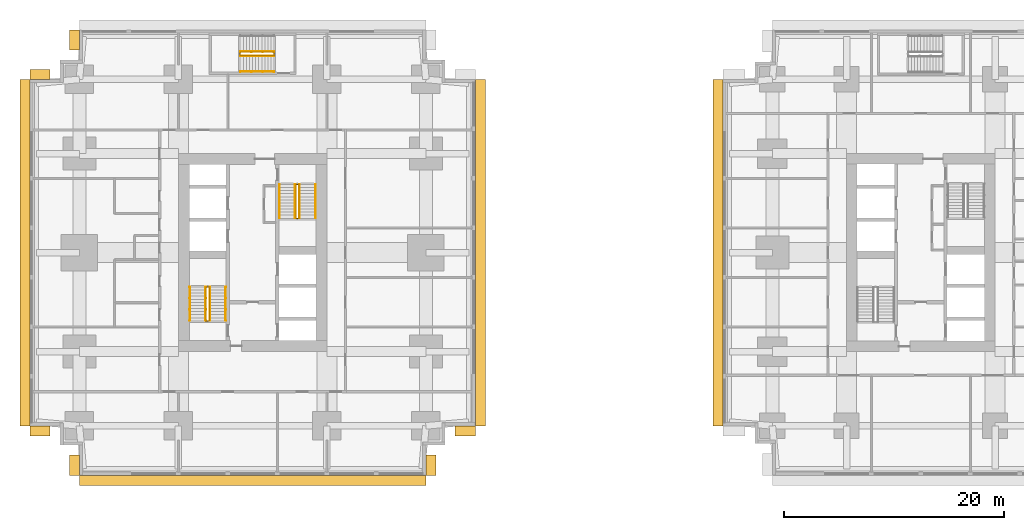
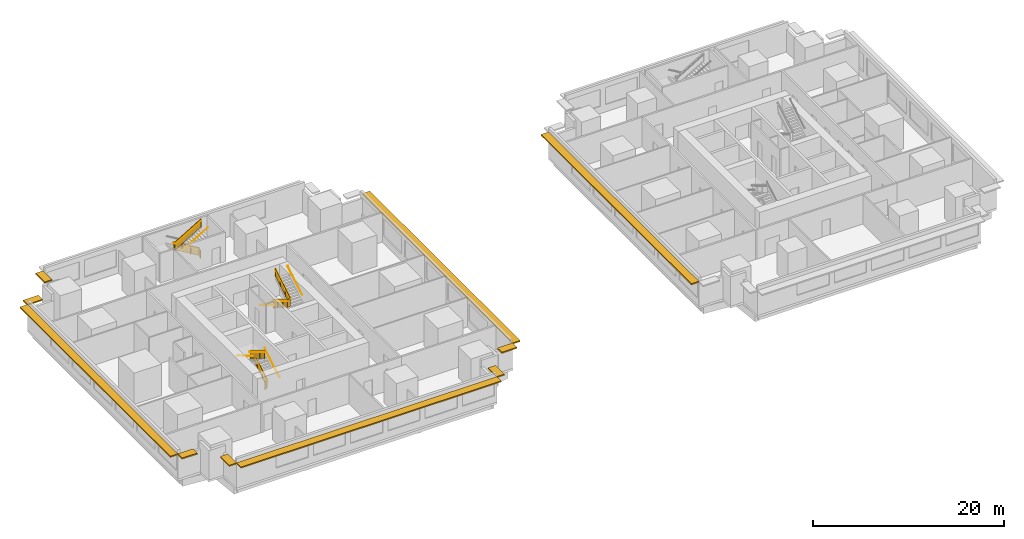
# One storey, part 9 of 11: 14 railings, 10 shading devices.
"""IFC4 building model written with IfcOpenShell, lengths in metres."""

from ifc_helpers import new_model, si_unit, direction, frame, origin, origin_2d, place, context, subcontext, project, spatial, polyline, rectangle, circle, outline, extrude, material, layer, layer_set, type_object, element, save


model = new_model("IFC4")

# Units and contexts
model_context = context("Model", 3, precision=1e-05, world=origin(), true_north=direction((0.0, 1.0)))
body_context = subcontext(model_context, "Body", "Model", "MODEL_VIEW")
ifc_project = project(units=[si_unit("LENGTHUNIT", "METRE"), si_unit("AREAUNIT", "SQUARE_METRE"), si_unit("VOLUMEUNIT", "CUBIC_METRE"), si_unit("PLANEANGLEUNIT", "RADIAN"), si_unit("MASSUNIT", "GRAM", prefix="KILO")], contexts=[model_context])

# Site, building, storey
site_placement = place(None, origin())
site = spatial("IfcSite", under=ifc_project, at=site_placement, CompositionType="ELEMENT")
building_placement = place(site_placement, origin())
building = spatial("IfcBuilding", under=site, at=building_placement, Name="Namib Vertical Campus", CompositionType="ELEMENT")
storey_placement = place(building_placement, frame((0.0, 0.0, 29.0)))
storey = spatial("IfcBuildingStorey", under=building, at=storey_placement, Name="L06", CompositionType="ELEMENT", Elevation=29.0)

# Railings
ifc_material_1 = material(Name="Steel handrail", Category="steel")
railing_type_1 = type_object("IfcRailingType", Name="Handrail 900", PredefinedType="HANDRAIL", material=ifc_material_1)
railing_1_placement = place(storey_placement, frame((17.800048828125, 14.050048828125, 0.166748046875)))
element("IfcRailing", 1, at=railing_1_placement, inside=storey, type_object=railing_type_1, Name="Handrail HR1 A-S1 L06 1", PredefinedType="HANDRAIL", context=body_context, shape_type="SweptSolid", body=[
    extrude(circle(Radius=0.02392578125, at=origin_2d()), frame((0.0, 0.0, 0.8759765625), z_axis=(0.0, 0.859290745958, 0.51148745235), x_axis=(-1.0, 0.0, 0.0)), (0.0, 0.0, 1.0), 3.584228515625),
    extrude(circle(Radius=0.008056640625, at=origin_2d()), frame((0.0, 0.0, 0.8759765625), z_axis=(1.0, 0.0, 0.0), x_axis=(0.0, 0.0, 1.0)), (0.0, 0.0, 1.0), 0.050048828125),
    extrude(circle(Radius=0.008056640625, at=origin_2d()), frame((0.0, 1.026611328125, 1.48681640625), z_axis=(1.0, 0.0, 0.0), x_axis=(0.0, 0.0, 1.0)), (0.0, 0.0, 1.0), 0.050048828125),
    extrude(circle(Radius=0.008056640625, at=origin_2d()), frame((0.0, 2.05322265625, 2.09814453125), z_axis=(1.0, 0.0, 0.0), x_axis=(0.0, 0.0, 1.0)), (0.0, 0.0, 1.0), 0.050048828125),
    extrude(circle(Radius=0.008056640625, at=origin_2d()), frame((0.0, 3.079833984375, 2.708984375), z_axis=(1.0, 0.0, 0.0), x_axis=(0.0, 0.0, 1.0)), (0.0, 0.0, 1.0), 0.050048828125),
])
railing_2_placement = place(storey_placement, frame((14.550048828125, 17.1298828125, 2.166748046875)))
element("IfcRailing", 2, at=railing_2_placement, inside=storey, type_object=railing_type_1, Name="Handrail HR1 A-S1 L06 2", PredefinedType="HANDRAIL", context=body_context, shape_type="SweptSolid", body=[
    extrude(circle(Radius=0.02392578125, at=origin_2d()), frame((0.0, 0.0, 0.8759765625), z_axis=(0.0, -0.859290745958, 0.51148745235), x_axis=(1.0, 0.0, 0.0)), (0.0, 0.0, 1.0), 3.584228515625),
    extrude(circle(Radius=0.008056640625, at=origin_2d()), frame((0.0, 0.0, 0.8759765625), z_axis=(-1.0, 0.0, 0.0), x_axis=(0.0, 0.0, 1.0)), (0.0, 0.0, 1.0), 0.050048828125),
    extrude(circle(Radius=0.008056640625, at=origin_2d()), frame((0.0, -1.026611328125, 1.48681640625), z_axis=(-1.0, 0.0, 0.0), x_axis=(0.0, 0.0, 1.0)), (0.0, 0.0, 1.0), 0.050048828125),
    extrude(circle(Radius=0.008056640625, at=origin_2d()), frame((0.0, -2.05322265625, 2.09814453125), z_axis=(-1.0, 0.0, 0.0), x_axis=(0.0, 0.0, 1.0)), (0.0, 0.0, 1.0), 0.050048828125),
    extrude(circle(Radius=0.008056640625, at=origin_2d()), frame((0.0, -3.079833984375, 2.708984375), z_axis=(-1.0, 0.0, 0.0), x_axis=(0.0, 0.0, 1.0)), (0.0, 0.0, 1.0), 0.050048828125),
])
railing_3_placement = place(storey_placement, frame((16.375, 14.050048828125, 0.166748046875)))
element("IfcRailing", 3, at=railing_3_placement, inside=storey, type_object=railing_type_1, Name="Handrail HR1 A-S1 L06 1 at the well", PredefinedType="HANDRAIL", context=body_context, shape_type="SweptSolid", body=[
    extrude(circle(Radius=0.02392578125, at=origin_2d()), frame((0.0, 0.0, 0.8759765625), z_axis=(0.0, 0.859290745958, 0.51148745235), x_axis=(-1.0, 0.0, 0.0)), (0.0, 0.0, 1.0), 3.584228515625),
    extrude(circle(Radius=0.008056640625, at=origin_2d()), frame((0.0, 0.0, 0.8759765625), z_axis=(-1.0, 0.0, 0.0), x_axis=(0.0, 0.0, 1.0)), (0.0, 0.0, 1.0), 0.0400390625),
    extrude(circle(Radius=0.008056640625, at=origin_2d()), frame((0.0, 1.026611328125, 1.48681640625), z_axis=(-1.0, 0.0, 0.0), x_axis=(0.0, 0.0, 1.0)), (0.0, 0.0, 1.0), 0.0400390625),
    extrude(circle(Radius=0.008056640625, at=origin_2d()), frame((0.0, 2.05322265625, 2.09814453125), z_axis=(-1.0, 0.0, 0.0), x_axis=(0.0, 0.0, 1.0)), (0.0, 0.0, 1.0), 0.0400390625),
    extrude(circle(Radius=0.008056640625, at=origin_2d()), frame((0.0, 3.079833984375, 2.708984375), z_axis=(-1.0, 0.0, 0.0), x_axis=(0.0, 0.0, 1.0)), (0.0, 0.0, 1.0), 0.0400390625),
])
railing_4_placement = place(storey_placement, frame((15.97509765625, 17.1298828125, 2.166748046875)))
element("IfcRailing", 4, at=railing_4_placement, inside=storey, type_object=railing_type_1, Name="Handrail HR1 A-S1 L06 2 at the well", PredefinedType="HANDRAIL", context=body_context, shape_type="SweptSolid", body=[
    extrude(circle(Radius=0.02392578125, at=origin_2d()), frame((0.0, 0.0, 0.8759765625), z_axis=(0.0, -0.859290745958, 0.51148745235), x_axis=(1.0, 0.0, 0.0)), (0.0, 0.0, 1.0), 3.584228515625),
    extrude(circle(Radius=0.008056640625, at=origin_2d()), frame((0.0, 0.0, 0.8759765625), z_axis=(1.0, 0.0, 0.0), x_axis=(0.0, 0.0, 1.0)), (0.0, 0.0, 1.0), 0.0400390625),
    extrude(circle(Radius=0.008056640625, at=origin_2d()), frame((0.0, -1.026611328125, 1.48681640625), z_axis=(1.0, 0.0, 0.0), x_axis=(0.0, 0.0, 1.0)), (0.0, 0.0, 1.0), 0.0400390625),
    extrude(circle(Radius=0.008056640625, at=origin_2d()), frame((0.0, -2.05322265625, 2.09814453125), z_axis=(1.0, 0.0, 0.0), x_axis=(0.0, 0.0, 1.0)), (0.0, 0.0, 1.0), 0.0400390625),
    extrude(circle(Radius=0.008056640625, at=origin_2d()), frame((0.0, -3.079833984375, 2.708984375), z_axis=(1.0, 0.0, 0.0), x_axis=(0.0, 0.0, 1.0)), (0.0, 0.0, 1.0), 0.0400390625),
])
railing_5_placement = place(storey_placement, frame((22.699951171875, 26.449951171875, 0.166748046875)))
element("IfcRailing", 5, at=railing_5_placement, inside=storey, type_object=railing_type_1, Name="Handrail HR1 A-S2 L06 1", PredefinedType="HANDRAIL", context=body_context, shape_type="SweptSolid", body=[
    extrude(circle(Radius=0.02392578125, at=origin_2d()), frame((0.0, 0.0, 0.8759765625), z_axis=(0.0, -0.859290745958, 0.51148745235), x_axis=(1.0, 0.0, 0.0)), (0.0, 0.0, 1.0), 3.584228515625),
    extrude(circle(Radius=0.008056640625, at=origin_2d()), frame((0.0, 0.0, 0.8759765625), z_axis=(-1.0, 0.0, 0.0), x_axis=(0.0, 0.0, 1.0)), (0.0, 0.0, 1.0), 0.050048828125),
    extrude(circle(Radius=0.008056640625, at=origin_2d()), frame((0.0, -1.026611328125, 1.48681640625), z_axis=(-1.0, 0.0, 0.0), x_axis=(0.0, 0.0, 1.0)), (0.0, 0.0, 1.0), 0.050048828125),
    extrude(circle(Radius=0.008056640625, at=origin_2d()), frame((0.0, -2.05322265625, 2.09814453125), z_axis=(-1.0, 0.0, 0.0), x_axis=(0.0, 0.0, 1.0)), (0.0, 0.0, 1.0), 0.050048828125),
    extrude(circle(Radius=0.008056640625, at=origin_2d()), frame((0.0, -3.079833984375, 2.708984375), z_axis=(-1.0, 0.0, 0.0), x_axis=(0.0, 0.0, 1.0)), (0.0, 0.0, 1.0), 0.050048828125),
])
railing_6_placement = place(storey_placement, frame((25.949951171875, 23.3701171875, 2.166748046875)))
element("IfcRailing", 6, at=railing_6_placement, inside=storey, type_object=railing_type_1, Name="Handrail HR1 A-S2 L06 2", PredefinedType="HANDRAIL", context=body_context, shape_type="SweptSolid", body=[
    extrude(circle(Radius=0.02392578125, at=origin_2d()), frame((0.0, 0.0, 0.8759765625), z_axis=(0.0, 0.859290745958, 0.51148745235), x_axis=(-1.0, 0.0, 0.0)), (0.0, 0.0, 1.0), 3.584228515625),
    extrude(circle(Radius=0.008056640625, at=origin_2d()), frame((0.0, 0.0, 0.8759765625), z_axis=(1.0, 0.0, 0.0), x_axis=(0.0, 0.0, 1.0)), (0.0, 0.0, 1.0), 0.050048828125),
    extrude(circle(Radius=0.008056640625, at=origin_2d()), frame((0.0, 1.026611328125, 1.48681640625), z_axis=(1.0, 0.0, 0.0), x_axis=(0.0, 0.0, 1.0)), (0.0, 0.0, 1.0), 0.050048828125),
    extrude(circle(Radius=0.008056640625, at=origin_2d()), frame((0.0, 2.05322265625, 2.09814453125), z_axis=(1.0, 0.0, 0.0), x_axis=(0.0, 0.0, 1.0)), (0.0, 0.0, 1.0), 0.050048828125),
    extrude(circle(Radius=0.008056640625, at=origin_2d()), frame((0.0, 3.079833984375, 2.708984375), z_axis=(1.0, 0.0, 0.0), x_axis=(0.0, 0.0, 1.0)), (0.0, 0.0, 1.0), 0.050048828125),
])
railing_7_placement = place(storey_placement, frame((24.125, 26.449951171875, 0.166748046875)))
element("IfcRailing", 7, at=railing_7_placement, inside=storey, type_object=railing_type_1, Name="Handrail HR1 A-S2 L06 1 at the well", PredefinedType="HANDRAIL", context=body_context, shape_type="SweptSolid", body=[
    extrude(circle(Radius=0.02392578125, at=origin_2d()), frame((0.0, 0.0, 0.8759765625), z_axis=(0.0, -0.859290745958, 0.51148745235), x_axis=(1.0, 0.0, 0.0)), (0.0, 0.0, 1.0), 3.584228515625),
    extrude(circle(Radius=0.008056640625, at=origin_2d()), frame((0.0, 0.0, 0.8759765625), z_axis=(1.0, 0.0, 0.0), x_axis=(0.0, 0.0, 1.0)), (0.0, 0.0, 1.0), 0.0400390625),
    extrude(circle(Radius=0.008056640625, at=origin_2d()), frame((0.0, -1.026611328125, 1.48681640625), z_axis=(1.0, 0.0, 0.0), x_axis=(0.0, 0.0, 1.0)), (0.0, 0.0, 1.0), 0.0400390625),
    extrude(circle(Radius=0.008056640625, at=origin_2d()), frame((0.0, -2.05322265625, 2.09814453125), z_axis=(1.0, 0.0, 0.0), x_axis=(0.0, 0.0, 1.0)), (0.0, 0.0, 1.0), 0.0400390625),
    extrude(circle(Radius=0.008056640625, at=origin_2d()), frame((0.0, -3.079833984375, 2.708984375), z_axis=(1.0, 0.0, 0.0), x_axis=(0.0, 0.0, 1.0)), (0.0, 0.0, 1.0), 0.0400390625),
])
railing_8_placement = place(storey_placement, frame((24.52490234375, 23.3701171875, 2.166748046875)))
element("IfcRailing", 8, at=railing_8_placement, inside=storey, type_object=railing_type_1, Name="Handrail HR1 A-S2 L06 2 at the well", PredefinedType="HANDRAIL", context=body_context, shape_type="SweptSolid", body=[
    extrude(circle(Radius=0.02392578125, at=origin_2d()), frame((0.0, 0.0, 0.8759765625), z_axis=(0.0, 0.859290745958, 0.51148745235), x_axis=(-1.0, 0.0, 0.0)), (0.0, 0.0, 1.0), 3.584228515625),
    extrude(circle(Radius=0.008056640625, at=origin_2d()), frame((0.0, 0.0, 0.8759765625), z_axis=(-1.0, 0.0, 0.0), x_axis=(0.0, 0.0, 1.0)), (0.0, 0.0, 1.0), 0.0400390625),
    extrude(circle(Radius=0.008056640625, at=origin_2d()), frame((0.0, 1.026611328125, 1.48681640625), z_axis=(-1.0, 0.0, 0.0), x_axis=(0.0, 0.0, 1.0)), (0.0, 0.0, 1.0), 0.0400390625),
    extrude(circle(Radius=0.008056640625, at=origin_2d()), frame((0.0, 2.05322265625, 2.09814453125), z_axis=(-1.0, 0.0, 0.0), x_axis=(0.0, 0.0, 1.0)), (0.0, 0.0, 1.0), 0.0400390625),
    extrude(circle(Radius=0.008056640625, at=origin_2d()), frame((0.0, 3.079833984375, 2.708984375), z_axis=(-1.0, 0.0, 0.0), x_axis=(0.0, 0.0, 1.0)), (0.0, 0.0, 1.0), 0.0400390625),
])
railing_9_placement = place(storey_placement, frame((19.1201171875, 36.699951171875, 2.166748046875)))
element("IfcRailing", 9, at=railing_9_placement, inside=storey, type_object=railing_type_1, Name="Handrail HR1 A-S3 L06 2", PredefinedType="HANDRAIL", context=body_context, shape_type="SweptSolid", body=[
    extrude(circle(Radius=0.02392578125, at=origin_2d()), frame((0.0, 0.0, 0.8759765625), z_axis=(0.859290745958, 0.0, 0.51148745235), x_axis=(0.0, 1.0, 0.0)), (0.0, 0.0, 1.0), 3.584228515625),
    extrude(circle(Radius=0.008056640625, at=origin_2d()), frame((0.0, 0.0, 0.8759765625), z_axis=(0.0, -1.0, 0.0), x_axis=(0.0, 0.0, 1.0)), (0.0, 0.0, 1.0), 0.050048828125),
    extrude(circle(Radius=0.008056640625, at=origin_2d()), frame((1.026611328125, 0.0, 1.48681640625), z_axis=(0.0, -1.0, 0.0), x_axis=(0.0, 0.0, 1.0)), (0.0, 0.0, 1.0), 0.050048828125),
    extrude(circle(Radius=0.008056640625, at=origin_2d()), frame((2.05322265625, 0.0, 2.09814453125), z_axis=(0.0, -1.0, 0.0), x_axis=(0.0, 0.0, 1.0)), (0.0, 0.0, 1.0), 0.050048828125),
    extrude(circle(Radius=0.008056640625, at=origin_2d()), frame((3.079833984375, 0.0, 2.708984375), z_axis=(0.0, -1.0, 0.0), x_axis=(0.0, 0.0, 1.0)), (0.0, 0.0, 1.0), 0.050048828125),
])
railing_10_placement = place(storey_placement, frame((22.199951171875, 38.52490234375, 0.166748046875)))
element("IfcRailing", 10, at=railing_10_placement, inside=storey, type_object=railing_type_1, Name="Handrail HR1 A-S3 L06 1 at the well", PredefinedType="HANDRAIL", context=body_context, shape_type="SweptSolid", body=[
    extrude(circle(Radius=0.02392578125, at=origin_2d()), frame((0.0, 0.0, 0.8759765625), z_axis=(-0.859290745958, 0.0, 0.51148745235), x_axis=(0.0, -1.0, 0.0)), (0.0, 0.0, 1.0), 3.584228515625),
    extrude(circle(Radius=0.008056640625, at=origin_2d()), frame((0.0, 0.0, 0.8759765625), z_axis=(0.0, -1.0, 0.0), x_axis=(0.0, 0.0, 1.0)), (0.0, 0.0, 1.0), 0.0400390625),
    extrude(circle(Radius=0.008056640625, at=origin_2d()), frame((-1.026611328125, 0.0, 1.48681640625), z_axis=(0.0, -1.0, 0.0), x_axis=(0.0, 0.0, 1.0)), (0.0, 0.0, 1.0), 0.0400390625),
    extrude(circle(Radius=0.008056640625, at=origin_2d()), frame((-2.05322265625, 0.0, 2.09814453125), z_axis=(0.0, -1.0, 0.0), x_axis=(0.0, 0.0, 1.0)), (0.0, 0.0, 1.0), 0.0400390625),
    extrude(circle(Radius=0.008056640625, at=origin_2d()), frame((-3.079833984375, 0.0, 2.708984375), z_axis=(0.0, -1.0, 0.0), x_axis=(0.0, 0.0, 1.0)), (0.0, 0.0, 1.0), 0.0400390625),
])
railing_11_placement = place(storey_placement, frame((19.1201171875, 38.125, 2.166748046875)))
element("IfcRailing", 11, at=railing_11_placement, inside=storey, type_object=railing_type_1, Name="Handrail HR1 A-S3 L06 2 at the well", PredefinedType="HANDRAIL", context=body_context, shape_type="SweptSolid", body=[
    extrude(circle(Radius=0.02392578125, at=origin_2d()), frame((0.0, 0.0, 0.8759765625), z_axis=(0.859290745958, 0.0, 0.51148745235), x_axis=(0.0, 1.0, 0.0)), (0.0, 0.0, 1.0), 3.584228515625),
    extrude(circle(Radius=0.008056640625, at=origin_2d()), frame((0.0, 0.0, 0.8759765625), z_axis=(0.0, 1.0, 0.0), x_axis=(0.0, 0.0, 1.0)), (0.0, 0.0, 1.0), 0.0400390625),
    extrude(circle(Radius=0.008056640625, at=origin_2d()), frame((1.026611328125, 0.0, 1.48681640625), z_axis=(0.0, 1.0, 0.0), x_axis=(0.0, 0.0, 1.0)), (0.0, 0.0, 1.0), 0.0400390625),
    extrude(circle(Radius=0.008056640625, at=origin_2d()), frame((2.05322265625, 0.0, 2.09814453125), z_axis=(0.0, 1.0, 0.0), x_axis=(0.0, 0.0, 1.0)), (0.0, 0.0, 1.0), 0.0400390625),
    extrude(circle(Radius=0.008056640625, at=origin_2d()), frame((3.079833984375, 0.0, 2.708984375), z_axis=(0.0, 1.0, 0.0), x_axis=(0.0, 0.0, 1.0)), (0.0, 0.0, 1.0), 0.0400390625),
])
ifc_material_2 = material(Name="Steel balustrade", Category="steel")
railing_type_2 = type_object("IfcRailingType", Name="Stair guard 1100", PredefinedType="GUARDRAIL", material=ifc_material_2)
railing_12_placement = place(storey_placement, frame((16.02490234375, 14.050048828125, 0.0)))
element("IfcRailing", 12, at=railing_12_placement, inside=storey, type_object=railing_type_2, Name="Stair guard GR1 A-S1 L06", PredefinedType="GUARDRAIL", context=body_context, shape_type="SweptSolid", body=[
    extrude(circle(Radius=0.02392578125, at=origin_2d()), frame((0.0, 0.0, 1.076171875), z_axis=(1.0, 0.0, 0.0), x_axis=(0.0, 1.0, 0.0)), (0.0, 0.0, 1.0), 0.300048828125),
    extrude(outline(polyline([(0.02099609375, 0.050048828125), (0.279052734375, 0.050048828125), (0.279052734375, 1.052001953125), (0.02099609375, 1.052001953125), (0.02099609375, 0.050048828125)])), frame((0.0, 0.010009765625, 0.0), z_axis=(0.0, -1.0, 0.0), x_axis=(1.0, 0.0, 0.0)), (0.0, 0.0, 1.0), 0.02001953125),
    extrude(circle(Radius=0.02392578125, at=origin_2d()), frame((0.300048828125, 0.0, 1.076171875), z_axis=(0.0, 0.0, 1.0), x_axis=(1.0, 0.0, 0.0)), (0.0, 0.0, 1.0), 0.166748046875),
    extrude(circle(Radius=0.02392578125, at=origin_2d()), frame((0.300048828125, 0.0, 1.24267578125), z_axis=(0.0, 0.859290745958, 0.51148745235), x_axis=(-1.0, 0.0, 0.0)), (0.0, 0.0, 1.0), 3.584228515625),
    extrude(outline(polyline([(0.02099609375, 0.0625), (3.058837890625, 1.870849609375), (3.058837890625, 2.872802734375), (0.02099609375, 1.064453125), (0.02099609375, 0.0625)])), frame((0.2900390625, 0.0, 0.166748046875), z_axis=(1.0, 0.0, 0.0), x_axis=(0.0, 1.0, 0.0)), (0.0, 0.0, 1.0), 0.02001953125),
    extrude(circle(Radius=0.02392578125, at=origin_2d()), frame((0.300048828125, 3.079833984375, 3.076171875), z_axis=(-1.0, 0.0, 0.0), x_axis=(0.0, -1.0, 0.0)), (0.0, 0.0, 1.0), 0.300048828125),
    extrude(outline(polyline([(0.02099609375, 0.050048828125), (0.279052734375, 0.050048828125), (0.279052734375, 1.052001953125), (0.02099609375, 1.052001953125), (0.02099609375, 0.050048828125)])), frame((0.300048828125, 3.06982421875, 2.0), z_axis=(0.0, 1.0, 0.0), x_axis=(-1.0, 0.0, 0.0)), (0.0, 0.0, 1.0), 0.02001953125),
    extrude(circle(Radius=0.02392578125, at=origin_2d()), frame((0.0, 3.079833984375, 3.076171875), z_axis=(0.0, 0.0, 1.0), x_axis=(1.0, 0.0, 0.0)), (0.0, 0.0, 1.0), 0.166748046875),
    extrude(circle(Radius=0.02392578125, at=origin_2d()), frame((0.0, 3.079833984375, 3.24267578125), z_axis=(0.0, -0.859290745958, 0.51148745235), x_axis=(1.0, 0.0, 0.0)), (0.0, 0.0, 1.0), 3.584228515625),
    extrude(outline(polyline([(0.02099609375, 0.0625), (3.058837890625, 1.870849609375), (3.058837890625, 2.872802734375), (0.02099609375, 1.064453125), (0.02099609375, 0.0625)])), frame((0.010009765625, 3.079833984375, 2.166748046875), z_axis=(-1.0, 0.0, 0.0), x_axis=(0.0, -1.0, 0.0)), (0.0, 0.0, 1.0), 0.02001953125),
    extrude(circle(Radius=0.02392578125, at=origin_2d()), frame((0.0, 0.0, 5.076171875), z_axis=(0.0, -1.0, 0.0), x_axis=(1.0, 0.0, 0.0)), (0.0, 0.0, 1.0), 0.050048828125),
    extrude(outline(polyline([(0.02099609375, 0.050048828125), (0.029052734375, 0.050048828125), (0.029052734375, 1.052001953125), (0.02099609375, 1.052001953125), (0.02099609375, 0.050048828125)])), frame((0.010009765625, 0.0, 4.0), z_axis=(-1.0, 0.0, 0.0), x_axis=(0.0, -1.0, 0.0)), (0.0, 0.0, 1.0), 0.02001953125),
    extrude(circle(Radius=0.02099609375, at=origin_2d()), origin(), (0.0, 0.0, 1.0), 1.052001953125),
    extrude(circle(Radius=0.02099609375, at=origin_2d()), frame((0.300048828125, 0.0, 0.166748046875)), (0.0, 0.0, 1.0), 1.052001953125),
    extrude(circle(Radius=0.02099609375, at=origin_2d()), frame((0.300048828125, 1.026611328125, 0.666748046875)), (0.0, 0.0, 1.0), 1.1630859375),
    extrude(circle(Radius=0.02099609375, at=origin_2d()), frame((0.300048828125, 2.05322265625, 1.33349609375)), (0.0, 0.0, 1.0), 1.107421875),
    extrude(circle(Radius=0.02099609375, at=origin_2d()), frame((0.300048828125, 3.079833984375, 2.0)), (0.0, 0.0, 1.0), 1.052001953125),
    extrude(circle(Radius=0.02099609375, at=origin_2d()), frame((0.0, 3.079833984375, 2.166748046875)), (0.0, 0.0, 1.0), 1.052001953125),
    extrude(circle(Radius=0.02099609375, at=origin_2d()), frame((0.0, 2.05322265625, 2.666748046875)), (0.0, 0.0, 1.0), 1.1630859375),
    extrude(circle(Radius=0.02099609375, at=origin_2d()), frame((0.0, 1.026611328125, 3.33349609375)), (0.0, 0.0, 1.0), 1.107421875),
    extrude(circle(Radius=0.02099609375, at=origin_2d()), frame((0.0, 0.0, 4.0)), (0.0, 0.0, 1.0), 1.052001953125),
    extrude(circle(Radius=0.02099609375, at=origin_2d()), frame((0.0, -0.050048828125, 4.0)), (0.0, 0.0, 1.0), 1.052001953125),
])
railing_13_placement = place(storey_placement, frame((24.47509765625, 26.449951171875, 0.0)))
element("IfcRailing", 13, at=railing_13_placement, inside=storey, type_object=railing_type_2, Name="Stair guard GR1 A-S2 L06", PredefinedType="GUARDRAIL", context=body_context, shape_type="SweptSolid", body=[
    extrude(circle(Radius=0.02392578125, at=origin_2d()), frame((0.0, 0.0, 1.076171875), z_axis=(-1.0, 0.0, 0.0), x_axis=(0.0, -1.0, 0.0)), (0.0, 0.0, 1.0), 0.300048828125),
    extrude(outline(polyline([(0.02099609375, 0.050048828125), (0.279052734375, 0.050048828125), (0.279052734375, 1.052001953125), (0.02099609375, 1.052001953125), (0.02099609375, 0.050048828125)])), frame((0.0, -0.010009765625, 0.0), z_axis=(0.0, 1.0, 0.0), x_axis=(-1.0, 0.0, 0.0)), (0.0, 0.0, 1.0), 0.02001953125),
    extrude(circle(Radius=0.02392578125, at=origin_2d()), frame((-0.300048828125, 0.0, 1.076171875), z_axis=(0.0, 0.0, 1.0), x_axis=(1.0, 0.0, 0.0)), (0.0, 0.0, 1.0), 0.166748046875),
    extrude(circle(Radius=0.02392578125, at=origin_2d()), frame((-0.300048828125, 0.0, 1.24267578125), z_axis=(0.0, -0.859290745958, 0.51148745235), x_axis=(1.0, 0.0, 0.0)), (0.0, 0.0, 1.0), 3.584228515625),
    extrude(outline(polyline([(0.02099609375, 0.0625), (3.058837890625, 1.870849609375), (3.058837890625, 2.872802734375), (0.02099609375, 1.064453125), (0.02099609375, 0.0625)])), frame((-0.2900390625, 0.0, 0.166748046875), z_axis=(-1.0, 0.0, 0.0), x_axis=(0.0, -1.0, 0.0)), (0.0, 0.0, 1.0), 0.02001953125),
    extrude(circle(Radius=0.02392578125, at=origin_2d()), frame((-0.300048828125, -3.079833984375, 3.076171875), z_axis=(1.0, 0.0, 0.0), x_axis=(0.0, 1.0, 0.0)), (0.0, 0.0, 1.0), 0.300048828125),
    extrude(outline(polyline([(0.02099609375, 0.050048828125), (0.279052734375, 0.050048828125), (0.279052734375, 1.052001953125), (0.02099609375, 1.052001953125), (0.02099609375, 0.050048828125)])), frame((-0.300048828125, -3.06982421875, 2.0), z_axis=(0.0, -1.0, 0.0), x_axis=(1.0, 0.0, 0.0)), (0.0, 0.0, 1.0), 0.02001953125),
    extrude(circle(Radius=0.02392578125, at=origin_2d()), frame((0.0, -3.079833984375, 3.076171875), z_axis=(0.0, 0.0, 1.0), x_axis=(1.0, 0.0, 0.0)), (0.0, 0.0, 1.0), 0.166748046875),
    extrude(circle(Radius=0.02392578125, at=origin_2d()), frame((0.0, -3.079833984375, 3.24267578125), z_axis=(0.0, 0.859290745958, 0.51148745235), x_axis=(-1.0, 0.0, 0.0)), (0.0, 0.0, 1.0), 3.584228515625),
    extrude(outline(polyline([(0.02099609375, 0.0625), (3.058837890625, 1.870849609375), (3.058837890625, 2.872802734375), (0.02099609375, 1.064453125), (0.02099609375, 0.0625)])), frame((-0.010009765625, -3.079833984375, 2.166748046875), z_axis=(1.0, 0.0, 0.0), x_axis=(0.0, 1.0, 0.0)), (0.0, 0.0, 1.0), 0.02001953125),
    extrude(circle(Radius=0.02392578125, at=origin_2d()), frame((0.0, 0.0, 5.076171875), z_axis=(0.0, 1.0, 0.0), x_axis=(-1.0, 0.0, 0.0)), (0.0, 0.0, 1.0), 0.050048828125),
    extrude(outline(polyline([(0.02099609375, 0.050048828125), (0.029052734375, 0.050048828125), (0.029052734375, 1.052001953125), (0.02099609375, 1.052001953125), (0.02099609375, 0.050048828125)])), frame((-0.010009765625, 0.0, 4.0), z_axis=(1.0, 0.0, 0.0), x_axis=(0.0, 1.0, 0.0)), (0.0, 0.0, 1.0), 0.02001953125),
    extrude(circle(Radius=0.02099609375, at=origin_2d()), origin(), (0.0, 0.0, 1.0), 1.052001953125),
    extrude(circle(Radius=0.02099609375, at=origin_2d()), frame((-0.300048828125, 0.0, 0.166748046875)), (0.0, 0.0, 1.0), 1.052001953125),
    extrude(circle(Radius=0.02099609375, at=origin_2d()), frame((-0.300048828125, -1.026611328125, 0.666748046875)), (0.0, 0.0, 1.0), 1.1630859375),
    extrude(circle(Radius=0.02099609375, at=origin_2d()), frame((-0.300048828125, -2.05322265625, 1.33349609375)), (0.0, 0.0, 1.0), 1.107421875),
    extrude(circle(Radius=0.02099609375, at=origin_2d()), frame((-0.300048828125, -3.079833984375, 2.0)), (0.0, 0.0, 1.0), 1.052001953125),
    extrude(circle(Radius=0.02099609375, at=origin_2d()), frame((0.0, -3.079833984375, 2.166748046875)), (0.0, 0.0, 1.0), 1.052001953125),
    extrude(circle(Radius=0.02099609375, at=origin_2d()), frame((0.0, -2.05322265625, 2.666748046875)), (0.0, 0.0, 1.0), 1.1630859375),
    extrude(circle(Radius=0.02099609375, at=origin_2d()), frame((0.0, -1.026611328125, 3.33349609375)), (0.0, 0.0, 1.0), 1.107421875),
    extrude(circle(Radius=0.02099609375, at=origin_2d()), frame((0.0, 0.0, 4.0)), (0.0, 0.0, 1.0), 1.052001953125),
    extrude(circle(Radius=0.02099609375, at=origin_2d()), frame((0.0, 0.050048828125, 4.0)), (0.0, 0.0, 1.0), 1.052001953125),
])
railing_14_placement = place(storey_placement, frame((22.199951171875, 38.175048828125, 0.0)))
element("IfcRailing", 14, at=railing_14_placement, inside=storey, type_object=railing_type_2, Name="Stair guard GR1 A-S3 L06", PredefinedType="GUARDRAIL", context=body_context, shape_type="SweptSolid", body=[
    extrude(circle(Radius=0.02392578125, at=origin_2d()), frame((0.0, 0.0, 1.076171875), z_axis=(0.0, 1.0, 0.0), x_axis=(-1.0, 0.0, 0.0)), (0.0, 0.0, 1.0), 0.300048828125),
    extrude(outline(polyline([(0.02099609375, 0.050048828125), (0.279052734375, 0.050048828125), (0.279052734375, 1.052001953125), (0.02099609375, 1.052001953125), (0.02099609375, 0.050048828125)])), frame((-0.010009765625, 0.0, 0.0), z_axis=(1.0, 0.0, 0.0), x_axis=(0.0, 1.0, 0.0)), (0.0, 0.0, 1.0), 0.02001953125),
    extrude(circle(Radius=0.02392578125, at=origin_2d()), frame((0.0, 0.300048828125, 1.076171875), z_axis=(0.0, 0.0, 1.0), x_axis=(1.0, 0.0, 0.0)), (0.0, 0.0, 1.0), 0.166748046875),
    extrude(circle(Radius=0.02392578125, at=origin_2d()), frame((0.0, 0.300048828125, 1.24267578125), z_axis=(-0.859290745958, 0.0, 0.51148745235), x_axis=(0.0, -1.0, 0.0)), (0.0, 0.0, 1.0), 3.584228515625),
    extrude(outline(polyline([(0.02099609375, 0.0625), (3.058837890625, 1.870849609375), (3.058837890625, 2.872802734375), (0.02099609375, 1.064453125), (0.02099609375, 0.0625)])), frame((0.0, 0.2900390625, 0.166748046875), z_axis=(0.0, 1.0, 0.0), x_axis=(-1.0, 0.0, 0.0)), (0.0, 0.0, 1.0), 0.02001953125),
    extrude(circle(Radius=0.02392578125, at=origin_2d()), frame((-3.079833984375, 0.300048828125, 3.076171875), z_axis=(0.0, -1.0, 0.0), x_axis=(1.0, 0.0, 0.0)), (0.0, 0.0, 1.0), 0.300048828125),
    extrude(outline(polyline([(0.02099609375, 0.050048828125), (0.279052734375, 0.050048828125), (0.279052734375, 1.052001953125), (0.02099609375, 1.052001953125), (0.02099609375, 0.050048828125)])), frame((-3.06982421875, 0.300048828125, 2.0), z_axis=(-1.0, 0.0, 0.0), x_axis=(0.0, -1.0, 0.0)), (0.0, 0.0, 1.0), 0.02001953125),
    extrude(circle(Radius=0.02392578125, at=origin_2d()), frame((-3.079833984375, 0.0, 3.076171875), z_axis=(0.0, 0.0, 1.0), x_axis=(1.0, 0.0, 0.0)), (0.0, 0.0, 1.0), 0.166748046875),
    extrude(circle(Radius=0.02392578125, at=origin_2d()), frame((-3.079833984375, 0.0, 3.24267578125), z_axis=(0.859290745958, 0.0, 0.51148745235), x_axis=(0.0, 1.0, 0.0)), (0.0, 0.0, 1.0), 3.584228515625),
    extrude(outline(polyline([(0.02099609375, 0.0625), (3.058837890625, 1.870849609375), (3.058837890625, 2.872802734375), (0.02099609375, 1.064453125), (0.02099609375, 0.0625)])), frame((-3.079833984375, 0.010009765625, 2.166748046875), z_axis=(0.0, -1.0, 0.0), x_axis=(1.0, 0.0, 0.0)), (0.0, 0.0, 1.0), 0.02001953125),
    extrude(circle(Radius=0.02392578125, at=origin_2d()), frame((0.0, 0.0, 5.076171875), z_axis=(1.0, 0.0, 0.0), x_axis=(0.0, 1.0, 0.0)), (0.0, 0.0, 1.0), 0.050048828125),
    extrude(outline(polyline([(0.02099609375, 0.050048828125), (0.029052734375, 0.050048828125), (0.029052734375, 1.052001953125), (0.02099609375, 1.052001953125), (0.02099609375, 0.050048828125)])), frame((0.0, 0.010009765625, 4.0), z_axis=(0.0, -1.0, 0.0), x_axis=(1.0, 0.0, 0.0)), (0.0, 0.0, 1.0), 0.02001953125),
    extrude(circle(Radius=0.02099609375, at=origin_2d()), origin(), (0.0, 0.0, 1.0), 1.052001953125),
    extrude(circle(Radius=0.02099609375, at=origin_2d()), frame((0.0, 0.300048828125, 0.166748046875)), (0.0, 0.0, 1.0), 1.052001953125),
    extrude(circle(Radius=0.02099609375, at=origin_2d()), frame((-1.026611328125, 0.300048828125, 0.666748046875)), (0.0, 0.0, 1.0), 1.1630859375),
    extrude(circle(Radius=0.02099609375, at=origin_2d()), frame((-2.05322265625, 0.300048828125, 1.33349609375)), (0.0, 0.0, 1.0), 1.107421875),
    extrude(circle(Radius=0.02099609375, at=origin_2d()), frame((-3.079833984375, 0.300048828125, 2.0)), (0.0, 0.0, 1.0), 1.052001953125),
    extrude(circle(Radius=0.02099609375, at=origin_2d()), frame((-3.079833984375, 0.0, 2.166748046875)), (0.0, 0.0, 1.0), 1.052001953125),
    extrude(circle(Radius=0.02099609375, at=origin_2d()), frame((-2.05322265625, 0.0, 2.666748046875)), (0.0, 0.0, 1.0), 1.1630859375),
    extrude(circle(Radius=0.02099609375, at=origin_2d()), frame((-1.026611328125, 0.0, 3.33349609375)), (0.0, 0.0, 1.0), 1.107421875),
    extrude(circle(Radius=0.02099609375, at=origin_2d()), frame((0.0, 0.0, 4.0)), (0.0, 0.0, 1.0), 1.052001953125),
    extrude(circle(Radius=0.02099609375, at=origin_2d()), frame((0.050048828125, 0.0, 4.0)), (0.0, 0.0, 1.0), 1.052001953125),
])

# Shading devices
ifc_material_3 = material(Name="Concrete C40/50 precast", Category="concrete")
ifc_layer = layer(ifc_material_3, 0.14990234375)
ifc_layer_set = layer_set([ifc_layer], Name="Concrete C40/50 precast")
shading_device_type = type_object("IfcShadingDeviceType", Name="Sunshade hood 900", PredefinedType="SHUTTER", material=ifc_layer_set)
shading_device_1_placement = place(storey_placement, frame((20.25, -0.449951171875, 3.10009765625), z_axis=(0.0, 0.0, 1.0), x_axis=(1.0, 0.0, 0.0)))
element("IfcShadingDevice", 15, at=shading_device_1_placement, inside=storey, type_object=shading_device_type, Name="Sunshade SH1 L06 1", PredefinedType="SHUTTER", context=body_context, shape_type="SweptSolid", body=[
    extrude(rectangle(XDim=31.5, YDim=0.89990234375, at=origin_2d()), origin(), (0.0, 0.0, 1.0), 0.14990234375),
])
for number, where, z_axis, x_axis, name in (
    (16, (36.449951171875, 0.925048828125, 3.10009765625), (0.0, 0.0, 1.0), (0.0, 1.0, 0.0), "Sunshade SH1 L06 2"),
    (17, (39.574951171875, 4.050048828125, 3.10009765625), (0.0, 0.0, 1.0), (1.0, 0.0, 0.0), "Sunshade SH1 L06 5"),
):
    element("IfcShadingDevice", number, at=place(storey_placement, frame(where, z_axis=z_axis, x_axis=x_axis)), inside=storey, type_object=shading_device_type, Name=name, PredefinedType="SHUTTER", context=body_context, shape_type="SweptSolid", body=[
        extrude(rectangle(XDim=1.85009765625, YDim=0.89990234375, at=origin_2d()), origin(), (0.0, 0.0, 1.0), 0.14990234375),
    ])
shading_device_2_placement = place(storey_placement, frame((40.949951171875, 20.25, 3.10009765625), z_axis=(0.0, 0.0, 1.0), x_axis=(0.0, 1.0, 0.0)))
element("IfcShadingDevice", 18, at=shading_device_2_placement, inside=storey, type_object=shading_device_type, Name="Sunshade SH1 L06 6", PredefinedType="SHUTTER", context=body_context, shape_type="SweptSolid", body=[
    extrude(rectangle(XDim=31.5, YDim=0.89990234375, at=origin_2d()), origin(), (0.0, 0.0, 1.0), 0.14990234375),
])
for number, where, z_axis, x_axis, name in (
    (19, (4.050048828125, 39.574951171875, 3.10009765625), (0.0, 0.0, 1.0), (0.0, -1.0, 0.0), "Sunshade SH1 L06 12"),
    (20, (0.925048828125, 36.449951171875, 3.10009765625), (0.0, 0.0, 1.0), (-1.0, 0.0, 0.0), "Sunshade SH1 L06 15"),
):
    element("IfcShadingDevice", number, at=place(storey_placement, frame(where, z_axis=z_axis, x_axis=x_axis)), inside=storey, type_object=shading_device_type, Name=name, PredefinedType="SHUTTER", context=body_context, shape_type="SweptSolid", body=[
        extrude(rectangle(XDim=1.85009765625, YDim=0.89990234375, at=origin_2d()), origin(), (0.0, 0.0, 1.0), 0.14990234375),
    ])
shading_device_3_placement = place(storey_placement, frame((-0.449951171875, 20.25, 3.10009765625), z_axis=(0.0, 0.0, 1.0), x_axis=(0.0, -1.0, 0.0)))
element("IfcShadingDevice", 21, at=shading_device_3_placement, inside=storey, type_object=shading_device_type, Name="Sunshade SH1 L06 16", PredefinedType="SHUTTER", context=body_context, shape_type="SweptSolid", body=[
    extrude(rectangle(XDim=31.5, YDim=0.89990234375, at=origin_2d()), origin(), (0.0, 0.0, 1.0), 0.14990234375),
])
for number, where, z_axis, x_axis, name in (
    (22, (0.925048828125, 4.050048828125, 3.10009765625), (0.0, 0.0, 1.0), (1.0, 0.0, 0.0), "Sunshade SH1 L06 17"),
    (23, (4.050048828125, 0.925048828125, 3.10009765625), (0.0, 0.0, 1.0), (0.0, -1.0, 0.0), "Sunshade SH1 L06 20"),
):
    element("IfcShadingDevice", number, at=place(storey_placement, frame(where, z_axis=z_axis, x_axis=x_axis)), inside=storey, type_object=shading_device_type, Name=name, PredefinedType="SHUTTER", context=body_context, shape_type="SweptSolid", body=[
        extrude(rectangle(XDim=1.85009765625, YDim=0.89990234375, at=origin_2d()), origin(), (0.0, 0.0, 1.0), 0.14990234375),
    ])
shading_device_4_placement = place(storey_placement, frame((62.550048828125, 20.25, 3.10009765625), z_axis=(0.0, 0.0, 1.0), x_axis=(0.0, -1.0, 0.0)))
element("IfcShadingDevice", 24, at=shading_device_4_placement, inside=storey, type_object=shading_device_type, Name="Sunshade SH1 L06 16", PredefinedType="SHUTTER", context=body_context, shape_type="SweptSolid", body=[
    extrude(rectangle(XDim=31.5, YDim=0.89990234375, at=origin_2d()), origin(), (0.0, 0.0, 1.0), 0.14990234375),
])

save(model, "model.ifc")
